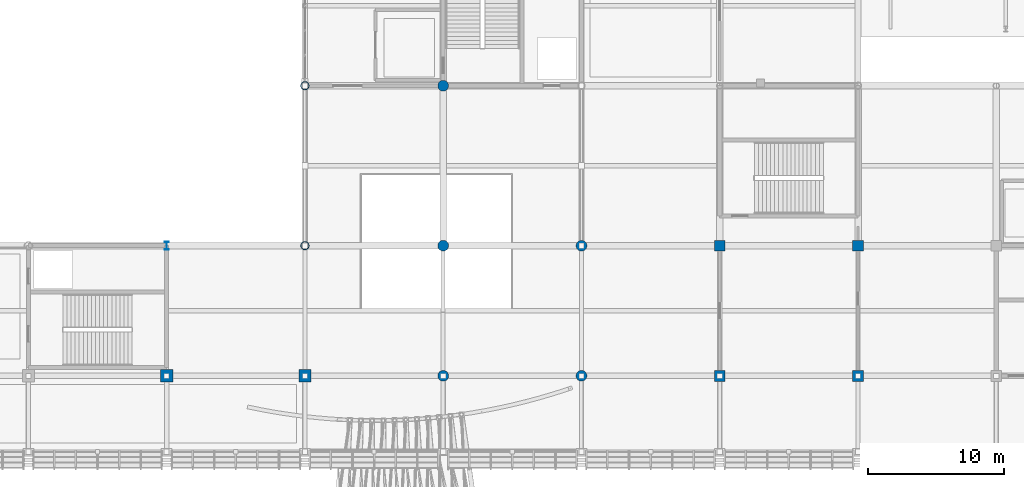
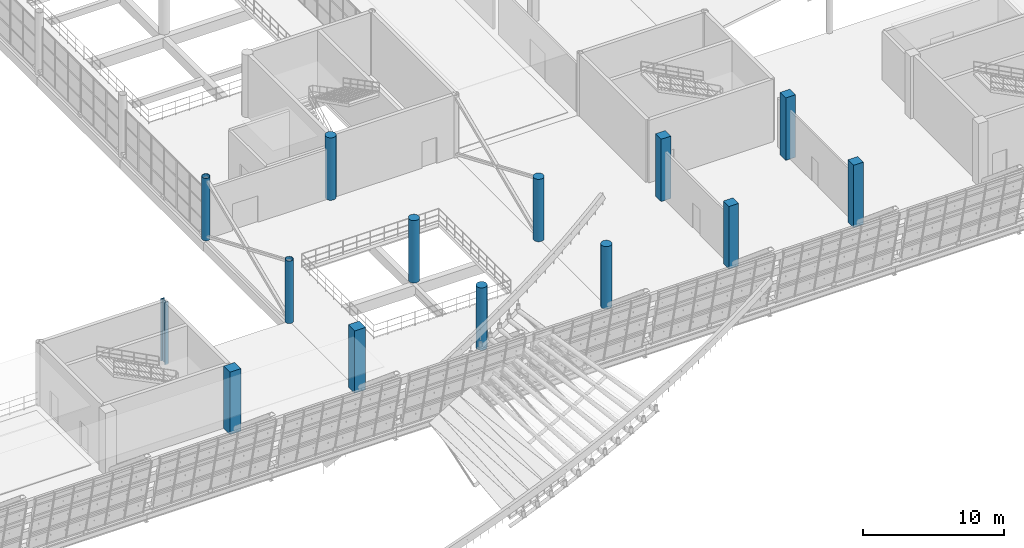
# One storey, part 10 of 175: 14 columns.
"""IFC4 building model written with IfcOpenShell, lengths in metres."""

from ifc_helpers import new_model, si_unit, direction, frame, origin, origin_2d, place, context, subcontext, project, spatial, rectangle, circle, hollow_circle, i_section, extrude, material, material_profile, profile_set, type_object, element, save


model = new_model("IFC4")

# Units and contexts
model_context = context("Model", 3, precision=1e-05, world=origin(), true_north=direction((0.0, 1.0)))
body_context = subcontext(model_context, "Body", "Model", "MODEL_VIEW")
ifc_project = project(units=[si_unit("LENGTHUNIT", "METRE"), si_unit("AREAUNIT", "SQUARE_METRE"), si_unit("VOLUMEUNIT", "CUBIC_METRE"), si_unit("PLANEANGLEUNIT", "RADIAN"), si_unit("MASSUNIT", "GRAM", prefix="KILO")], contexts=[model_context])

# Site, building, storey
site_placement = place(None, origin())
site = spatial("IfcSite", under=ifc_project, at=site_placement, CompositionType="ELEMENT")
building_placement = place(site_placement, origin())
building = spatial("IfcBuilding", under=site, at=building_placement, Name="Brelvane Convention Centre", CompositionType="ELEMENT")
storey_placement = place(building_placement, frame((0.0, 0.0, 5.39990234375)))
storey = spatial("IfcBuildingStorey", under=building, at=storey_placement, Name="L01", CompositionType="ELEMENT", Elevation=5.39990234375)

# Columns
ifc_material_1 = material(Name="Concrete M50", Category="concrete")
ifc_material_profile_1 = material_profile(ifc_material_1, rectangle(XDim=0.89990234375, YDim=0.89990234375, at=origin_2d()), Name="RC 900x900")
ifc_profile_set_1 = profile_set([ifc_material_profile_1], Name="Concrete M50")
column_type_1 = type_object("IfcColumnType", Name="RC Column C-RC2 (RC 900x900)", PredefinedType="COLUMN", material=ifc_profile_set_1)
for number, where, z_axis, x_axis, name in (
    (1, (132.60009765625, 19.199951171875, 0.0), (0.0, 0.0, 1.0), (1.0, 0.0, 0.0), "Column 14-C (L01)"),
    (2, (142.800048828125, 19.199951171875, 0.0), (0.0, 0.0, 1.0), (1.0, 0.0, 0.0), "Column 15-C (L01)"),
):
    element("IfcColumn", number, at=place(storey_placement, frame(where, z_axis=z_axis, x_axis=x_axis)), inside=storey, type_object=column_type_1, Name=name, PredefinedType="COLUMN", context=body_context, shape_type="SweptSolid", body=[
        extrude(rectangle(XDim=0.89990234375, YDim=0.89990234375, at=origin_2d()), origin(), (0.0, 0.0, 1.0), 5.400146484375),
    ])
ifc_material_2 = material(Name="Concrete M50", Category="concrete")
ifc_material_profile_2 = material_profile(ifc_material_2, circle(Radius=0.39990234375, at=origin_2d()), Name="RC-CIRC D800")
ifc_profile_set_2 = profile_set([ifc_material_profile_2], Name="Concrete M50")
column_type_2 = type_object("IfcColumnType", Name="RC Column C-RC7 (RC-CIRC D800)", PredefinedType="COLUMN", material=ifc_profile_set_2)
for number, where, z_axis, x_axis, name in (
    (3, (153.0, 19.199951171875, 0.0), (0.0, 0.0, 1.0), (1.0, 0.0, 0.0), "Column 16-C (L01)"),
    (4, (153.0, 28.800048828125, 0.0), (0.0, 0.0, 1.0), (1.0, 0.0, 0.0), "Column 16-D (L01)"),
    (5, (153.0, 40.60009765625, 0.0), (0.0, 0.0, 1.0), (1.0, 0.0, 0.0), "Column 16-E (L01)"),
    (6, (163.199951171875, 19.199951171875, 0.0), (0.0, 0.0, 1.0), (1.0, 0.0, 0.0), "Column 17-C (L01)"),
    (7, (163.199951171875, 28.800048828125, 0.0), (0.0, 0.0, 1.0), (1.0, 0.0, 0.0), "Column 17-D (L01)"),
):
    element("IfcColumn", number, at=place(storey_placement, frame(where, z_axis=z_axis, x_axis=x_axis)), inside=storey, type_object=column_type_2, Name=name, PredefinedType="COLUMN", context=body_context, shape_type="SweptSolid", body=[
        extrude(circle(Radius=0.39990234375, at=origin_2d()), origin(), (0.0, 0.0, 1.0), 5.400146484375),
    ])
ifc_material_3 = material(Name="Concrete M50", Category="concrete")
ifc_material_profile_3 = material_profile(ifc_material_3, rectangle(XDim=0.800048828125, YDim=0.800048828125, at=origin_2d()), Name="RC 800x800")
ifc_profile_set_3 = profile_set([ifc_material_profile_3], Name="Concrete M50")
column_type_3 = type_object("IfcColumnType", Name="RC Column C-RC9 (RC 800x800)", PredefinedType="COLUMN", material=ifc_profile_set_3)
for number, where, z_axis, x_axis, name in (
    (8, (173.39990234375, 19.199951171875, 0.0), (0.0, 0.0, 1.0), (1.0, 0.0, 0.0), "Column 18-C (L01)"),
    (9, (173.39990234375, 28.800048828125, 0.0), (0.0, 0.0, 1.0), (1.0, 0.0, 0.0), "Column 18-D (L01)"),
    (10, (183.60009765625, 19.199951171875, 0.0), (0.0, 0.0, 1.0), (1.0, 0.0, 0.0), "Column 19-C (L01)"),
    (11, (183.60009765625, 28.800048828125, 0.0), (0.0, 0.0, 1.0), (1.0, 0.0, 0.0), "Column 19-D (L01)"),
):
    element("IfcColumn", number, at=place(storey_placement, frame(where, z_axis=z_axis, x_axis=x_axis)), inside=storey, type_object=column_type_3, Name=name, PredefinedType="COLUMN", context=body_context, shape_type="SweptSolid", body=[
        extrude(rectangle(XDim=0.800048828125, YDim=0.800048828125, at=origin_2d()), origin(), (0.0, 0.0, 1.0), 5.400146484375),
    ])
ifc_material_4 = material(Name="Steel E450 (450 MPa)", Category="steel")
ifc_material_profile_4 = material_profile(ifc_material_4, hollow_circle(Radius=0.304931640625, WallThickness=0.02490234375, at=origin_2d()), Name="CHS 610.0x25.0")
ifc_profile_set_4 = profile_set([ifc_material_profile_4], Name="Steel E450 (450 MPa)")
column_type_4 = type_object("IfcColumnType", Name="Steel Column C-ST1 (CHS 610.0x25.0)", PredefinedType="COLUMN", material=ifc_profile_set_4)
for number, where, z_axis, x_axis, name in (
    (12, (142.800048828125, 28.800048828125, 0.0), (0.0, 0.0, 1.0), (1.0, 0.0, 0.0), "Column 15-D (L01)"),
    (13, (142.800048828125, 40.60009765625, 0.0), (0.0, 0.0, 1.0), (1.0, 0.0, 0.0), "Column 15-E (L01)"),
):
    element("IfcColumn", number, at=place(storey_placement, frame(where, z_axis=z_axis, x_axis=x_axis)), inside=storey, type_object=column_type_4, Name=name, PredefinedType="COLUMN", context=body_context, shape_type="SweptSolid", body=[
        extrude(hollow_circle(Radius=0.304931640625, WallThickness=0.02490234375, at=origin_2d()), origin(), (0.0, 0.0, 1.0), 5.400146484375),
    ])
ifc_material_5 = material(Name="Steel E450 (450 MPa)", Category="steel")
ifc_material_profile_5 = material_profile(ifc_material_5, i_section(OverallWidth=0.300048828125, OverallDepth=0.60009765625, WebThickness=0.015380859375, FlangeThickness=0.030029296875, FilletRadius=0.027099609375, at=origin_2d()), Name="WPB 600x300")
ifc_profile_set_5 = profile_set([ifc_material_profile_5], Name="Steel E450 (450 MPa)")
column_type_5 = type_object("IfcColumnType", Name="Steel Column C-ST5 (WPB 600x300)", PredefinedType="COLUMN", material=ifc_profile_set_5)
column_placement = place(storey_placement, frame((132.60009765625, 28.800048828125, 0.0), z_axis=(0.0, 0.0, 1.0), x_axis=(1.0, 0.0, 0.0)))
element("IfcColumn", 14, at=column_placement, inside=storey, type_object=column_type_5, Name="Column 14-D (L01)", PredefinedType="COLUMN", context=body_context, shape_type="SweptSolid", body=[
    extrude(i_section(OverallWidth=0.300048828125, OverallDepth=0.60009765625, WebThickness=0.015380859375, FlangeThickness=0.030029296875, FilletRadius=0.027099609375, at=origin_2d()), origin(), (0.0, 0.0, 1.0), 5.400146484375),
])

save(model, "model.ifc")
